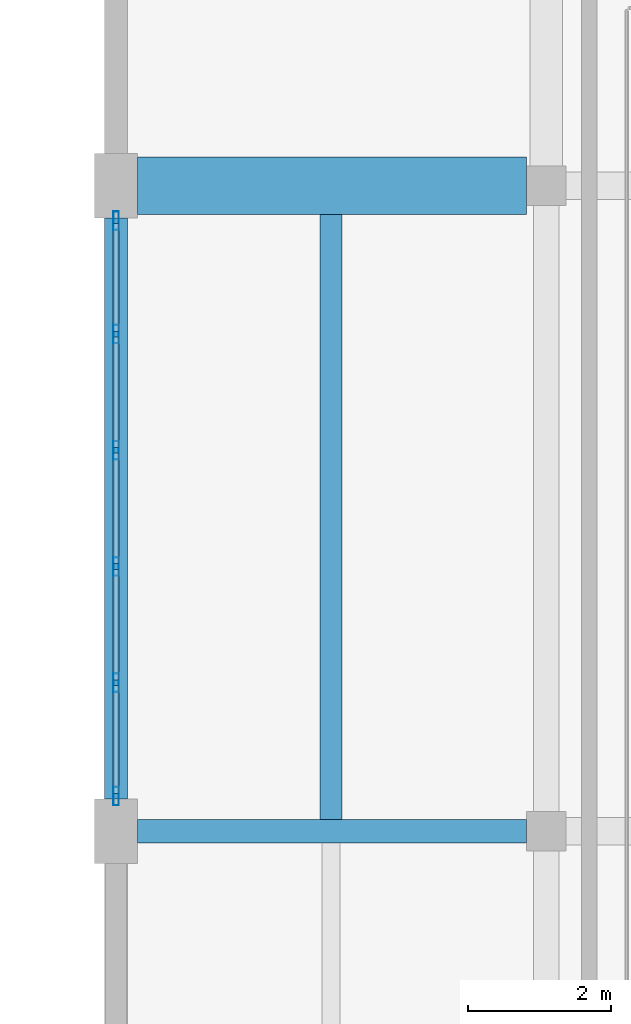
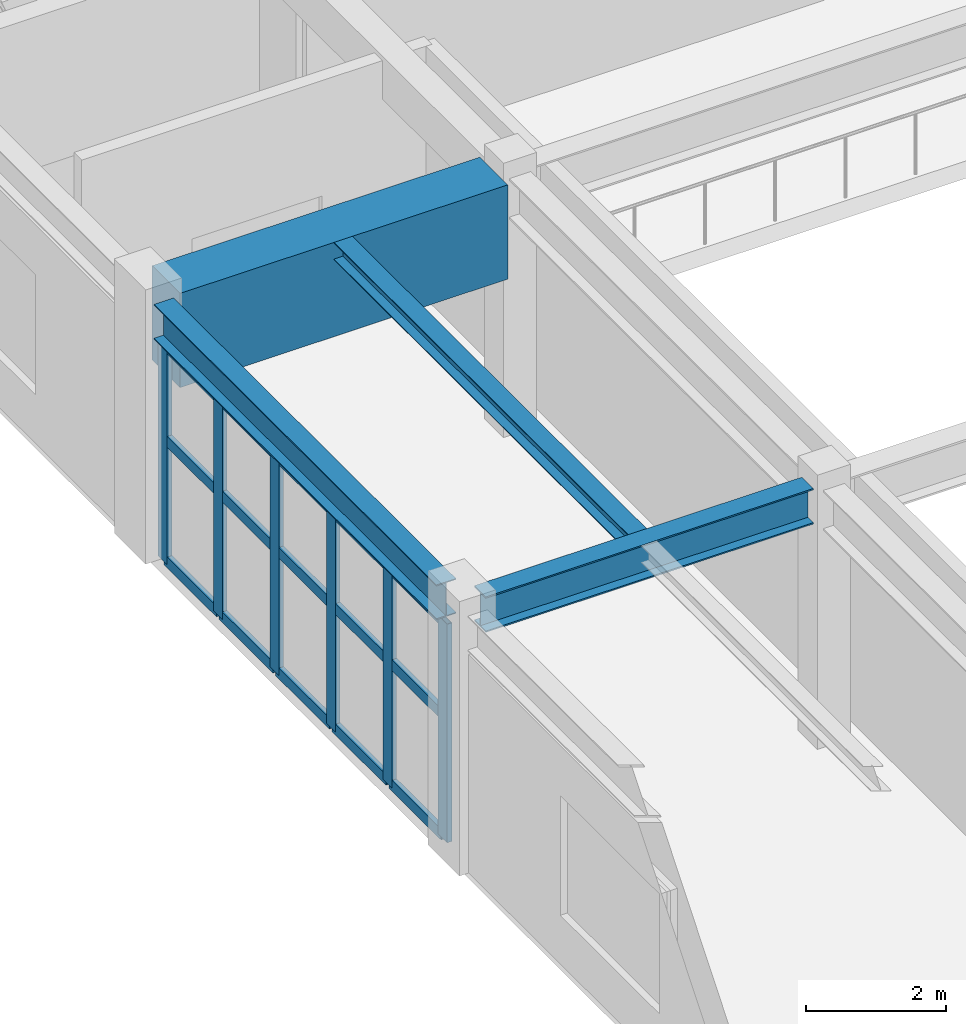
# One storey, part 10 of 96: 21 members, 4 beams, 1 element without a shape of its own.
"""IFC4 building model written with IfcOpenShell, lengths in metres."""

from ifc_helpers import new_model, si_unit, direction, frame, origin, origin_2d, place, context, subcontext, project, spatial, rectangle, hollow_rectangle, i_section, extrude, material, layer, layer_set, material_profile, profile_set, type_object, element, aggregate, save


model = new_model("IFC4")

# Units and contexts
model_context = context("Model", 3, precision=1e-05, world=origin(), true_north=direction((0.0, 1.0)))
body_context = subcontext(model_context, "Body", "Model", "MODEL_VIEW")
ifc_project = project(units=[si_unit("LENGTHUNIT", "METRE"), si_unit("AREAUNIT", "SQUARE_METRE"), si_unit("VOLUMEUNIT", "CUBIC_METRE"), si_unit("PLANEANGLEUNIT", "RADIAN"), si_unit("MASSUNIT", "GRAM", prefix="KILO")], contexts=[model_context])

# Site, building, storey
site_placement = place(None, origin())
site = spatial("IfcSite", under=ifc_project, at=site_placement, CompositionType="ELEMENT")
building_placement = place(site_placement, origin())
building = spatial("IfcBuilding", under=site, at=building_placement, Name="Vaelkrest Opera House", CompositionType="ELEMENT")
storey_placement = place(building_placement, frame((0.0, 0.0, 5.39990234375)))
storey = spatial("IfcBuildingStorey", under=building, at=storey_placement, Name="L01", CompositionType="ELEMENT", Elevation=5.39990234375)

# Beams
ifc_material_1 = material(Name="Concrete C50/60", Category="concrete")
ifc_material_profile_1 = material_profile(ifc_material_1, rectangle(XDim=0.800048828125, YDim=1.64990234375, at=origin_2d()), Name="RCB800X1650")
ifc_profile_set_1 = profile_set([ifc_material_profile_1], Name="Concrete C50/60")
beam_type_1 = type_object("IfcBeamType", Name="B07", PredefinedType="BEAM", material=ifc_profile_set_1)
beam_1_placement = place(storey_placement, frame((-75.300048828125, 1.199951171875, 3.675048828125), z_axis=(1.0, 0.0, 0.0), x_axis=(0.0, 1.0, 0.0)))
element("IfcBeam", 1, at=beam_1_placement, inside=storey, type_object=beam_type_1, Name="Beam BM-V3-L01-1520", PredefinedType="BEAM", context=body_context, shape_type="SweptSolid", body=[
    extrude(rectangle(XDim=0.800048828125, YDim=1.64990234375, at=origin_2d()), origin(), (0.0, 0.0, 1.0), 5.425048828125),
])
ifc_material_2 = material(Name="Steel A992 Gr50", Category="steel")
ifc_material_profile_2 = material_profile(ifc_material_2, i_section(OverallWidth=0.326904296875, OverallDepth=0.6220703125, WebThickness=0.015380859375, FlangeThickness=0.0244140625, at=origin_2d()), Name="W24X131")
ifc_profile_set_2 = profile_set([ifc_material_profile_2], Name="Steel A992 Gr50")
beam_type_2 = type_object("IfcBeamType", Name="B19", PredefinedType="BEAM", material=ifc_profile_set_2)
beam_2_placement = place(storey_placement, frame((-75.300048828125, -7.800048828125, 4.189208984375), z_axis=(1.0, 0.0, 0.0), x_axis=(0.0, 1.0, 0.0)))
element("IfcBeam", 2, at=beam_2_placement, inside=storey, type_object=beam_type_2, Name="Beam BM-V3-L01-1515", PredefinedType="BEAM", context=body_context, shape_type="SweptSolid", body=[
    extrude(i_section(OverallWidth=0.326904296875, OverallDepth=0.6220703125, WebThickness=0.015380859375, FlangeThickness=0.0244140625, at=origin_2d()), origin(), (0.0, 0.0, 1.0), 5.425048828125),
])

# Curtain wall, members
ifc_material_3 = material(Name="Dark bronze anodized aluminium", Category="aluminium")
ifc_layer = layer(ifc_material_3, 0.2099609375)
ifc_layer_set = layer_set([ifc_layer], Name="Dark bronze anodized aluminium")
curtain_wall_type = type_object("IfcCurtainWallType", Name="CW04", PredefinedType="NOTDEFINED", material=ifc_layer_set)
curtain_wall_placement = place(storey_placement, origin())
curtain_wall = element("IfcCurtainWall", 3, at=curtain_wall_placement, inside=storey, type_object=curtain_wall_type, Name="Curtain wall CW-L01-103", PredefinedType="NOTDEFINED")
ifc_material_profile_3 = material_profile(ifc_material_3, hollow_rectangle(XDim=0.080078125, YDim=0.260009765625, WallThickness=0.0048828125, at=origin_2d()), Name="CWM80X260")
ifc_profile_set_3 = profile_set([ifc_material_profile_3], Name="Dark bronze anodized aluminium")
member_type_1 = type_object("IfcMemberType", Name="CWM04", PredefinedType="MULLION", material=ifc_profile_set_3)
member_1_placement = place(storey_placement, frame((-75.60009765625, -7.31201171875, 0.0), z_axis=(0.0, 0.0, 1.0), x_axis=(-1.0, 0.0, 0.0)))
member_1 = element("IfcMember", 4, at=member_1_placement, type_object=member_type_1, Name="CW04 mullion 1", PredefinedType="MULLION", context=body_context, shape_type="SweptSolid", body=[
    extrude(hollow_rectangle(XDim=0.080078125, YDim=0.260009765625, WallThickness=0.0048828125, at=origin_2d()), origin(), (0.0, 0.0, 1.0), 3.82421875),
])
member_2_placement = place(storey_placement, frame((-75.60009765625, -5.731201171875, 0.0), z_axis=(0.0, 0.0, 1.0), x_axis=(-1.0, 0.0, 0.0)))
member_2 = element("IfcMember", 5, at=member_2_placement, type_object=member_type_1, Name="CW04 mullion 2", PredefinedType="MULLION", context=body_context, shape_type="SweptSolid", body=[
    extrude(hollow_rectangle(XDim=0.080078125, YDim=0.260009765625, WallThickness=0.0048828125, at=origin_2d()), origin(), (0.0, 0.0, 1.0), 3.82421875),
])
member_3_placement = place(storey_placement, frame((-75.60009765625, -4.1103515625, 0.0), z_axis=(0.0, 0.0, 1.0), x_axis=(-1.0, 0.0, 0.0)))
member_3 = element("IfcMember", 6, at=member_3_placement, type_object=member_type_1, Name="CW04 mullion 3", PredefinedType="MULLION", context=body_context, shape_type="SweptSolid", body=[
    extrude(hollow_rectangle(XDim=0.080078125, YDim=0.260009765625, WallThickness=0.0048828125, at=origin_2d()), origin(), (0.0, 0.0, 1.0), 3.82421875),
])
member_4_placement = place(storey_placement, frame((-75.60009765625, -2.489501953125, 0.0), z_axis=(0.0, 0.0, 1.0), x_axis=(-1.0, 0.0, 0.0)))
member_4 = element("IfcMember", 7, at=member_4_placement, type_object=member_type_1, Name="CW04 mullion 4", PredefinedType="MULLION", context=body_context, shape_type="SweptSolid", body=[
    extrude(hollow_rectangle(XDim=0.080078125, YDim=0.260009765625, WallThickness=0.0048828125, at=origin_2d()), origin(), (0.0, 0.0, 1.0), 3.82421875),
])
member_5_placement = place(storey_placement, frame((-75.60009765625, -0.868896484375, 0.0), z_axis=(0.0, 0.0, 1.0), x_axis=(-1.0, 0.0, 0.0)))
member_5 = element("IfcMember", 8, at=member_5_placement, type_object=member_type_1, Name="CW04 mullion 5", PredefinedType="MULLION", context=body_context, shape_type="SweptSolid", body=[
    extrude(hollow_rectangle(XDim=0.080078125, YDim=0.260009765625, WallThickness=0.0048828125, at=origin_2d()), origin(), (0.0, 0.0, 1.0), 3.82421875),
])
member_6_placement = place(storey_placement, frame((-75.60009765625, 0.7119140625, 0.0), z_axis=(0.0, 0.0, 1.0), x_axis=(-1.0, 0.0, 0.0)))
member_6 = element("IfcMember", 9, at=member_6_placement, type_object=member_type_1, Name="CW04 mullion 6", PredefinedType="MULLION", context=body_context, shape_type="SweptSolid", body=[
    extrude(hollow_rectangle(XDim=0.080078125, YDim=0.260009765625, WallThickness=0.0048828125, at=origin_2d()), origin(), (0.0, 0.0, 1.0), 3.82421875),
])
ifc_material_profile_4 = material_profile(ifc_material_3, hollow_rectangle(XDim=0.080078125, YDim=0.18994140625, WallThickness=0.0048828125, at=origin_2d()), Name="CWT80X190")
ifc_profile_set_4 = profile_set([ifc_material_profile_4], Name="Dark bronze anodized aluminium")
member_type_2 = type_object("IfcMemberType", Name="CWT04", PredefinedType="USERDEFINED", material=ifc_profile_set_4)
member_7_placement = place(storey_placement, frame((-75.60009765625, -7.27197265625, 0.0400390625), z_axis=(0.0, 1.0, 0.0), x_axis=(-1.0, 0.0, 0.0)))
member_7 = element("IfcMember", 10, at=member_7_placement, type_object=member_type_2, Name="CW04 transom 1.1", ObjectType="TRANSOM", PredefinedType="USERDEFINED", context=body_context, shape_type="SweptSolid", body=[
    extrude(hollow_rectangle(XDim=0.080078125, YDim=0.18994140625, WallThickness=0.0048828125, at=origin_2d()), origin(), (0.0, 0.0, 1.0), 1.500732421875),
])
member_8_placement = place(storey_placement, frame((-75.60009765625, -7.27197265625, 2.150146484375), z_axis=(0.0, 1.0, 0.0), x_axis=(-1.0, 0.0, 0.0)))
member_8 = element("IfcMember", 11, at=member_8_placement, type_object=member_type_2, Name="CW04 transom 1.2", ObjectType="TRANSOM", PredefinedType="USERDEFINED", context=body_context, shape_type="SweptSolid", body=[
    extrude(hollow_rectangle(XDim=0.080078125, YDim=0.18994140625, WallThickness=0.0048828125, at=origin_2d()), origin(), (0.0, 0.0, 1.0), 1.500732421875),
])
member_9_placement = place(storey_placement, frame((-75.60009765625, -7.27197265625, 3.7841796875), z_axis=(0.0, 1.0, 0.0), x_axis=(-1.0, 0.0, 0.0)))
member_9 = element("IfcMember", 12, at=member_9_placement, type_object=member_type_2, Name="CW04 transom 1.3", ObjectType="TRANSOM", PredefinedType="USERDEFINED", context=body_context, shape_type="SweptSolid", body=[
    extrude(hollow_rectangle(XDim=0.080078125, YDim=0.18994140625, WallThickness=0.0048828125, at=origin_2d()), origin(), (0.0, 0.0, 1.0), 1.500732421875),
])
member_10_placement = place(storey_placement, frame((-75.60009765625, -5.691162109375, 0.0400390625), z_axis=(0.0, 1.0, 0.0), x_axis=(-1.0, 0.0, 0.0)))
member_10 = element("IfcMember", 13, at=member_10_placement, type_object=member_type_2, Name="CW04 transom 2.1", ObjectType="TRANSOM", PredefinedType="USERDEFINED", context=body_context, shape_type="SweptSolid", body=[
    extrude(hollow_rectangle(XDim=0.080078125, YDim=0.18994140625, WallThickness=0.0048828125, at=origin_2d()), origin(), (0.0, 0.0, 1.0), 1.540771484375),
])
member_11_placement = place(storey_placement, frame((-75.60009765625, -5.691162109375, 2.150146484375), z_axis=(0.0, 1.0, 0.0), x_axis=(-1.0, 0.0, 0.0)))
member_11 = element("IfcMember", 14, at=member_11_placement, type_object=member_type_2, Name="CW04 transom 2.2", ObjectType="TRANSOM", PredefinedType="USERDEFINED", context=body_context, shape_type="SweptSolid", body=[
    extrude(hollow_rectangle(XDim=0.080078125, YDim=0.18994140625, WallThickness=0.0048828125, at=origin_2d()), origin(), (0.0, 0.0, 1.0), 1.540771484375),
])
member_12_placement = place(storey_placement, frame((-75.60009765625, -5.691162109375, 3.7841796875), z_axis=(0.0, 1.0, 0.0), x_axis=(-1.0, 0.0, 0.0)))
member_12 = element("IfcMember", 15, at=member_12_placement, type_object=member_type_2, Name="CW04 transom 2.3", ObjectType="TRANSOM", PredefinedType="USERDEFINED", context=body_context, shape_type="SweptSolid", body=[
    extrude(hollow_rectangle(XDim=0.080078125, YDim=0.18994140625, WallThickness=0.0048828125, at=origin_2d()), origin(), (0.0, 0.0, 1.0), 1.540771484375),
])
member_13_placement = place(storey_placement, frame((-75.60009765625, -4.0703125, 0.0400390625), z_axis=(0.0, 1.0, 0.0), x_axis=(-1.0, 0.0, 0.0)))
member_13 = element("IfcMember", 16, at=member_13_placement, type_object=member_type_2, Name="CW04 transom 3.1", ObjectType="TRANSOM", PredefinedType="USERDEFINED", context=body_context, shape_type="SweptSolid", body=[
    extrude(hollow_rectangle(XDim=0.080078125, YDim=0.18994140625, WallThickness=0.0048828125, at=origin_2d()), origin(), (0.0, 0.0, 1.0), 1.540771484375),
])
member_14_placement = place(storey_placement, frame((-75.60009765625, -4.0703125, 2.150146484375), z_axis=(0.0, 1.0, 0.0), x_axis=(-1.0, 0.0, 0.0)))
member_14 = element("IfcMember", 17, at=member_14_placement, type_object=member_type_2, Name="CW04 transom 3.2", ObjectType="TRANSOM", PredefinedType="USERDEFINED", context=body_context, shape_type="SweptSolid", body=[
    extrude(hollow_rectangle(XDim=0.080078125, YDim=0.18994140625, WallThickness=0.0048828125, at=origin_2d()), origin(), (0.0, 0.0, 1.0), 1.540771484375),
])
member_15_placement = place(storey_placement, frame((-75.60009765625, -4.0703125, 3.7841796875), z_axis=(0.0, 1.0, 0.0), x_axis=(-1.0, 0.0, 0.0)))
member_15 = element("IfcMember", 18, at=member_15_placement, type_object=member_type_2, Name="CW04 transom 3.3", ObjectType="TRANSOM", PredefinedType="USERDEFINED", context=body_context, shape_type="SweptSolid", body=[
    extrude(hollow_rectangle(XDim=0.080078125, YDim=0.18994140625, WallThickness=0.0048828125, at=origin_2d()), origin(), (0.0, 0.0, 1.0), 1.540771484375),
])
member_16_placement = place(storey_placement, frame((-75.60009765625, -2.44970703125, 0.0400390625), z_axis=(0.0, 1.0, 0.0), x_axis=(-1.0, 0.0, 0.0)))
member_16 = element("IfcMember", 19, at=member_16_placement, type_object=member_type_2, Name="CW04 transom 4.1", ObjectType="TRANSOM", PredefinedType="USERDEFINED", context=body_context, shape_type="SweptSolid", body=[
    extrude(hollow_rectangle(XDim=0.080078125, YDim=0.18994140625, WallThickness=0.0048828125, at=origin_2d()), origin(), (0.0, 0.0, 1.0), 1.541015625),
])
member_17_placement = place(storey_placement, frame((-75.60009765625, -2.44970703125, 2.150146484375), z_axis=(0.0, 1.0, 0.0), x_axis=(-1.0, 0.0, 0.0)))
member_17 = element("IfcMember", 20, at=member_17_placement, type_object=member_type_2, Name="CW04 transom 4.2", ObjectType="TRANSOM", PredefinedType="USERDEFINED", context=body_context, shape_type="SweptSolid", body=[
    extrude(hollow_rectangle(XDim=0.080078125, YDim=0.18994140625, WallThickness=0.0048828125, at=origin_2d()), origin(), (0.0, 0.0, 1.0), 1.541015625),
])
member_18_placement = place(storey_placement, frame((-75.60009765625, -2.44970703125, 3.7841796875), z_axis=(0.0, 1.0, 0.0), x_axis=(-1.0, 0.0, 0.0)))
member_18 = element("IfcMember", 21, at=member_18_placement, type_object=member_type_2, Name="CW04 transom 4.3", ObjectType="TRANSOM", PredefinedType="USERDEFINED", context=body_context, shape_type="SweptSolid", body=[
    extrude(hollow_rectangle(XDim=0.080078125, YDim=0.18994140625, WallThickness=0.0048828125, at=origin_2d()), origin(), (0.0, 0.0, 1.0), 1.541015625),
])
member_19_placement = place(storey_placement, frame((-75.60009765625, -0.828857421875, 0.0400390625), z_axis=(0.0, 1.0, 0.0), x_axis=(-1.0, 0.0, 0.0)))
member_19 = element("IfcMember", 22, at=member_19_placement, type_object=member_type_2, Name="CW04 transom 5.1", ObjectType="TRANSOM", PredefinedType="USERDEFINED", context=body_context, shape_type="SweptSolid", body=[
    extrude(hollow_rectangle(XDim=0.080078125, YDim=0.18994140625, WallThickness=0.0048828125, at=origin_2d()), origin(), (0.0, 0.0, 1.0), 1.5009765625),
])
member_20_placement = place(storey_placement, frame((-75.60009765625, -0.828857421875, 2.150146484375), z_axis=(0.0, 1.0, 0.0), x_axis=(-1.0, 0.0, 0.0)))
member_20 = element("IfcMember", 23, at=member_20_placement, type_object=member_type_2, Name="CW04 transom 5.2", ObjectType="TRANSOM", PredefinedType="USERDEFINED", context=body_context, shape_type="SweptSolid", body=[
    extrude(hollow_rectangle(XDim=0.080078125, YDim=0.18994140625, WallThickness=0.0048828125, at=origin_2d()), origin(), (0.0, 0.0, 1.0), 1.5009765625),
])
member_21_placement = place(storey_placement, frame((-75.60009765625, -0.828857421875, 3.7841796875), z_axis=(0.0, 1.0, 0.0), x_axis=(-1.0, 0.0, 0.0)))
member_21 = element("IfcMember", 24, at=member_21_placement, type_object=member_type_2, Name="CW04 transom 5.3", ObjectType="TRANSOM", PredefinedType="USERDEFINED", context=body_context, shape_type="SweptSolid", body=[
    extrude(hollow_rectangle(XDim=0.080078125, YDim=0.18994140625, WallThickness=0.0048828125, at=origin_2d()), origin(), (0.0, 0.0, 1.0), 1.5009765625),
])
aggregate(curtain_wall, [member_1, member_2, member_3, member_4, member_5, member_6, member_7, member_8, member_9, member_10, member_11, member_12, member_13, member_14, member_15, member_16, member_17, member_18, member_19, member_20, member_21])

# Beams
ifc_material_profile_5 = material_profile(ifc_material_2, i_section(OverallWidth=0.304931640625, OverallDepth=0.30810546875, WebThickness=0.010009765625, FlangeThickness=0.015380859375, at=origin_2d()), Name="W12X65")
ifc_profile_set_5 = profile_set([ifc_material_profile_5], Name="Steel A992 Gr50")
beam_type_3 = type_object("IfcBeamType", Name="J04", PredefinedType="JOIST", material=ifc_profile_set_5)
beam_3_placement = place(storey_placement, frame((-72.60009765625, -7.636474609375, 4.34619140625), z_axis=(0.0, 1.0, 0.0), x_axis=(-1.0, 0.0, 0.0)))
element("IfcBeam", 25, at=beam_3_placement, inside=storey, type_object=beam_type_3, Name="Floor joist JST-V3-L01-1594", PredefinedType="JOIST", context=body_context, shape_type="SweptSolid", body=[
    extrude(i_section(OverallWidth=0.304931640625, OverallDepth=0.30810546875, WebThickness=0.010009765625, FlangeThickness=0.015380859375, at=origin_2d()), origin(), (0.0, 0.0, 1.0), 8.4365234375),
])
ifc_material_profile_6 = material_profile(ifc_material_2, i_section(OverallWidth=0.323974609375, OverallDepth=0.611083984375, WebThickness=0.0126953125, FlangeThickness=0.01904296875, at=origin_2d()), Name="W24X104")
ifc_profile_set_6 = profile_set([ifc_material_profile_6], Name="Steel A992 Gr50")
beam_type_4 = type_object("IfcBeamType", Name="SP01", PredefinedType="SPANDREL", material=ifc_profile_set_6)
beam_4_placement = place(storey_placement, frame((-75.60009765625, -7.35009765625, 4.194580078125), z_axis=(0.0, 1.0, 0.0), x_axis=(-1.0, 0.0, 0.0)))
element("IfcBeam", 26, at=beam_4_placement, inside=storey, type_object=beam_type_4, Name="Beam BM-V3-L01-1552", PredefinedType="SPANDREL", context=body_context, shape_type="SweptSolid", body=[
    extrude(i_section(OverallWidth=0.323974609375, OverallDepth=0.611083984375, WebThickness=0.0126953125, FlangeThickness=0.01904296875, at=origin_2d()), origin(), (0.0, 0.0, 1.0), 8.10009765625),
])

save(model, "model.ifc")
